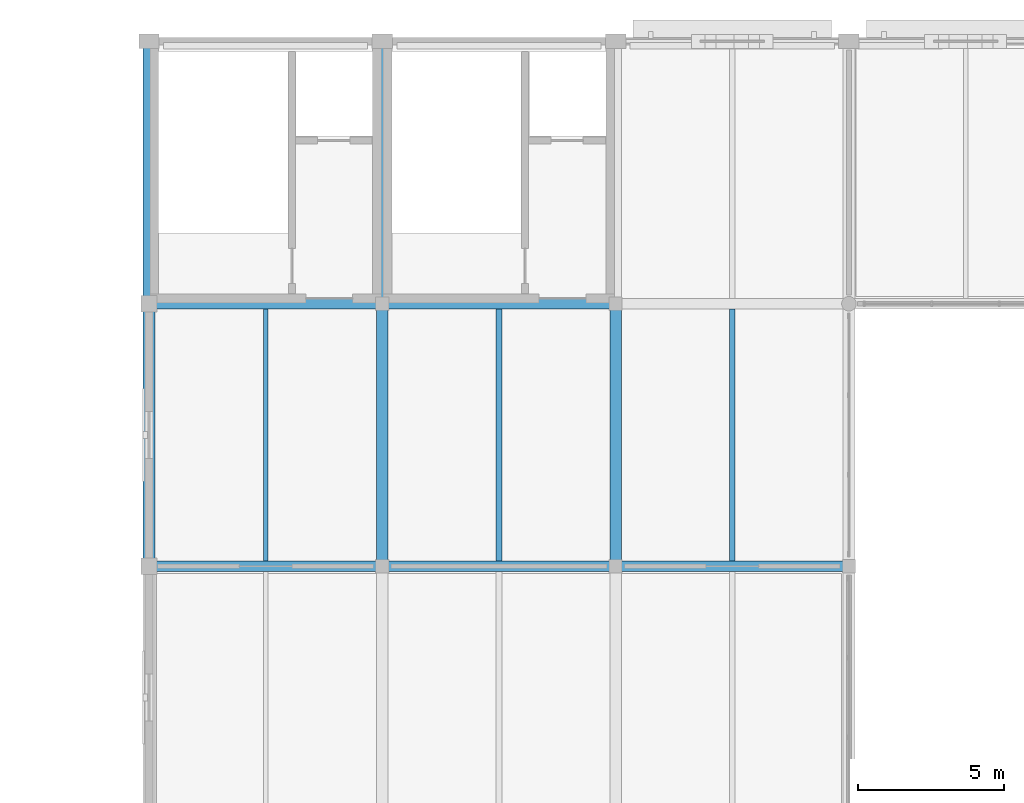
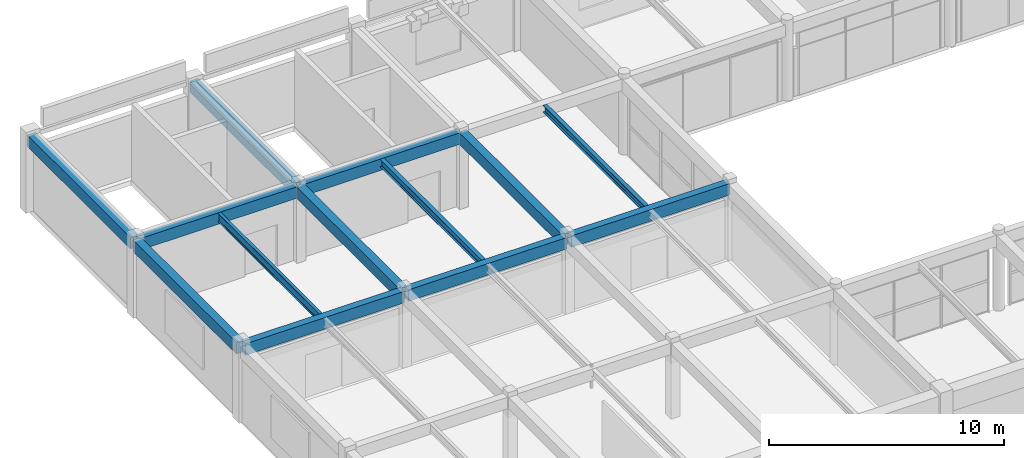
# One storey, part 52 of 126: 13 beams.
"""IFC4 building model written with IfcOpenShell, lengths in metres."""

from ifc_helpers import new_model, si_unit, direction, frame, origin, origin_2d, place, context, subcontext, project, spatial, rectangle, i_section, extrude, material, material_profile, profile_set, type_object, element, save


model = new_model("IFC4")

# Units and contexts
model_context = context("Model", 3, precision=1e-05, world=origin(), true_north=direction((0.0, 1.0)))
body_context = subcontext(model_context, "Body", "Model", "MODEL_VIEW")
ifc_project = project(units=[si_unit("LENGTHUNIT", "METRE"), si_unit("AREAUNIT", "SQUARE_METRE"), si_unit("VOLUMEUNIT", "CUBIC_METRE"), si_unit("PLANEANGLEUNIT", "RADIAN"), si_unit("MASSUNIT", "GRAM", prefix="KILO")], contexts=[model_context])

# Site, building, storey
site_placement = place(None, origin())
site = spatial("IfcSite", under=ifc_project, at=site_placement, CompositionType="ELEMENT")
building_placement = place(site_placement, origin())
building = spatial("IfcBuilding", under=site, at=building_placement, Name="Varnabhumi Central Station", CompositionType="ELEMENT")
storey_placement = place(building_placement, frame((0.0, 0.0, 16.199951171875)))
storey = spatial("IfcBuildingStorey", under=building, at=storey_placement, Name="L03", CompositionType="ELEMENT", Elevation=16.199951171875)

# Beams
ifc_material_1 = material(Name="Structural steel E350", Category="steel")
ifc_material_profile_1 = material_profile(ifc_material_1, i_section(OverallWidth=0.14990234375, OverallDepth=0.449951171875, WebThickness=0.009521484375, FlangeThickness=0.017333984375, FilletRadius=0.014892578125, at=origin_2d()), Name="Structural steel E350", Category="steel")
ifc_profile_set_1 = profile_set([ifc_material_profile_1], Name="Structural steel E350")
beam_type_1 = type_object("IfcBeamType", Name="BM-JST-ISMB450", PredefinedType="JOIST", material=ifc_profile_set_1)
beam_1_placement = place(storey_placement, frame((28.0, 98.175048828125, 3.72509765625), z_axis=(0.0, 1.0, 0.0), x_axis=(-1.0, 0.0, 0.0)))
element("IfcBeam", 1, at=beam_1_placement, inside=storey, type_object=beam_type_1, Name="Secondary Joist L03-4/5:M-N", PredefinedType="JOIST", context=body_context, shape_type="SweptSolid", body=[
    extrude(i_section(OverallWidth=0.14990234375, OverallDepth=0.449951171875, WebThickness=0.009521484375, FlangeThickness=0.017333984375, FilletRadius=0.014892578125, at=origin_2d()), origin(), (0.0, 0.0, 1.0), 8.64990234375),
])
ifc_material_2 = material(Name="Concrete M40", Category="concrete")
ifc_material_profile_2 = material_profile(ifc_material_2, rectangle(XDim=0.35009765625, YDim=0.60009765625, at=origin_2d()), Name="Concrete M40", Category="concrete")
ifc_profile_set_2 = profile_set([ifc_material_profile_2], Name="Concrete M40")
beam_type_2 = type_object("IfcBeamType", Name="BM-RC-350x600", PredefinedType="BEAM", material=ifc_profile_set_2)
for number, where, z_axis, x_axis, name in (
    (2, (24.10009765625, 98.0, 3.650146484375), (1.0, 0.0, 0.0), (0.0, 1.0, 0.0), "Beam L03-M:4-5"),
    (3, (24.10009765625, 107.0, 3.650146484375), (1.0, 0.0, 0.0), (0.0, 1.0, 0.0), "Beam L03-N:4-5"),
    (4, (32.10009765625, 98.0, 3.650146484375), (1.0, 0.0, 0.0), (0.0, 1.0, 0.0), "Beam L03-M:5-6"),
    (5, (32.10009765625, 107.0, 3.650146484375), (1.0, 0.0, 0.0), (0.0, 1.0, 0.0), "Beam L03-N:5-6"),
    (6, (40.10009765625, 98.0, 3.650146484375), (1.0, 0.0, 0.0), (0.0, 1.0, 0.0), "Beam L03-M:6-7"),
):
    element("IfcBeam", number, at=place(storey_placement, frame(where, z_axis=z_axis, x_axis=x_axis)), inside=storey, type_object=beam_type_2, Name=name, PredefinedType="BEAM", context=body_context, shape_type="SweptSolid", body=[
        extrude(rectangle(XDim=0.35009765625, YDim=0.60009765625, at=origin_2d()), origin(), (0.0, 0.0, 1.0), 7.7998046875),
    ])
ifc_material_profile_3 = material_profile(ifc_material_2, rectangle(XDim=0.39990234375, YDim=0.60009765625, at=origin_2d()), Name="Concrete M40", Category="concrete")
ifc_profile_set_3 = profile_set([ifc_material_profile_3], Name="Concrete M40")
beam_type_3 = type_object("IfcBeamType", Name="BM-RC-400x600", PredefinedType="BEAM", material=ifc_profile_set_3)
for number, where, z_axis, x_axis, name in (
    (7, (24.0, 98.10009765625, 3.650146484375), (0.0, 1.0, 0.0), (-1.0, 0.0, 0.0), "Beam L03-4:M-N"),
    (8, (32.0, 98.10009765625, 3.650146484375), (0.0, 1.0, 0.0), (-1.0, 0.0, 0.0), "Beam L03-5:M-N"),
    (9, (40.0, 98.10009765625, 3.650146484375), (0.0, 1.0, 0.0), (-1.0, 0.0, 0.0), "Beam L03-6:M-N"),
    (10, (24.0, 107.10009765625, 3.650146484375), (0.0, 1.0, 0.0), (-1.0, 0.0, 0.0), "Beam L03-4:N-P"),
    (11, (32.0, 107.10009765625, 3.650146484375), (0.0, 1.0, 0.0), (-1.0, 0.0, 0.0), "Beam L03-5:N-P"),
):
    element("IfcBeam", number, at=place(storey_placement, frame(where, z_axis=z_axis, x_axis=x_axis)), inside=storey, type_object=beam_type_3, Name=name, PredefinedType="BEAM", context=body_context, shape_type="SweptSolid", body=[
        extrude(rectangle(XDim=0.39990234375, YDim=0.60009765625, at=origin_2d()), origin(), (0.0, 0.0, 1.0), 8.7998046875),
    ])
ifc_material_profile_4 = material_profile(ifc_material_1, i_section(OverallWidth=0.199951171875, OverallDepth=0.39990234375, WebThickness=0.008544921875, FlangeThickness=0.012939453125, FilletRadius=0.012939453125, at=origin_2d()), Name="Structural steel E350", Category="steel")
ifc_profile_set_4 = profile_set([ifc_material_profile_4], Name="Structural steel E350")
beam_type_4 = type_object("IfcBeamType", Name="BM-SEC-ISWB400", PredefinedType="JOIST", material=ifc_profile_set_4)
beam_2_placement = place(storey_placement, frame((36.0, 98.175048828125, 3.75), z_axis=(0.0, 1.0, 0.0), x_axis=(-1.0, 0.0, 0.0)))
element("IfcBeam", 12, at=beam_2_placement, inside=storey, type_object=beam_type_4, Name="Secondary Joist L03-5/6:M-N", PredefinedType="JOIST", context=body_context, shape_type="SweptSolid", body=[
    extrude(i_section(OverallWidth=0.199951171875, OverallDepth=0.39990234375, WebThickness=0.008544921875, FlangeThickness=0.012939453125, FilletRadius=0.012939453125, at=origin_2d()), origin(), (0.0, 0.0, 1.0), 8.64990234375),
])
ifc_material_profile_5 = material_profile(ifc_material_1, i_section(OverallWidth=0.199951171875, OverallDepth=0.35009765625, WebThickness=0.008056640625, FlangeThickness=0.011474609375, FilletRadius=0.011962890625, at=origin_2d()), Name="Structural steel E350", Category="steel")
ifc_profile_set_5 = profile_set([ifc_material_profile_5], Name="Structural steel E350")
beam_type_5 = type_object("IfcBeamType", Name="BM-STL-ISWB350", PredefinedType="JOIST", material=ifc_profile_set_5)
beam_3_placement = place(storey_placement, frame((44.0, 98.175048828125, 3.775146484375), z_axis=(0.0, 1.0, 0.0), x_axis=(-1.0, 0.0, 0.0)))
element("IfcBeam", 13, at=beam_3_placement, inside=storey, type_object=beam_type_5, Name="Secondary Joist L03-6/7:M-N", PredefinedType="JOIST", context=body_context, shape_type="SweptSolid", body=[
    extrude(i_section(OverallWidth=0.199951171875, OverallDepth=0.35009765625, WebThickness=0.008056640625, FlangeThickness=0.011474609375, FilletRadius=0.011962890625, at=origin_2d()), origin(), (0.0, 0.0, 1.0), 8.64990234375),
])

save(model, "model.ifc")
